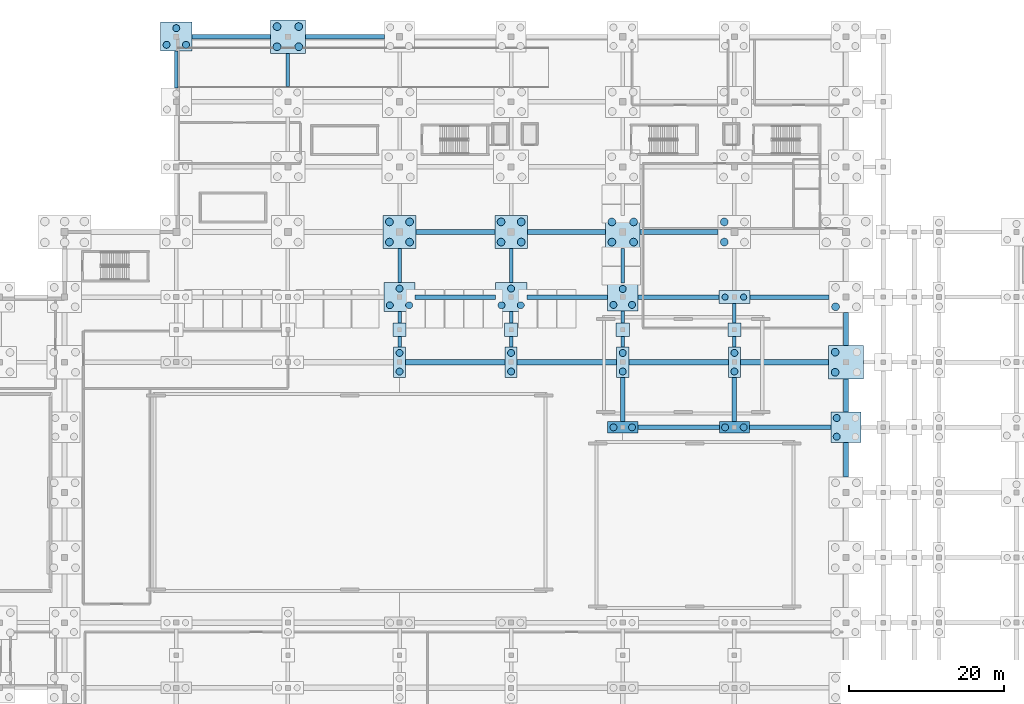
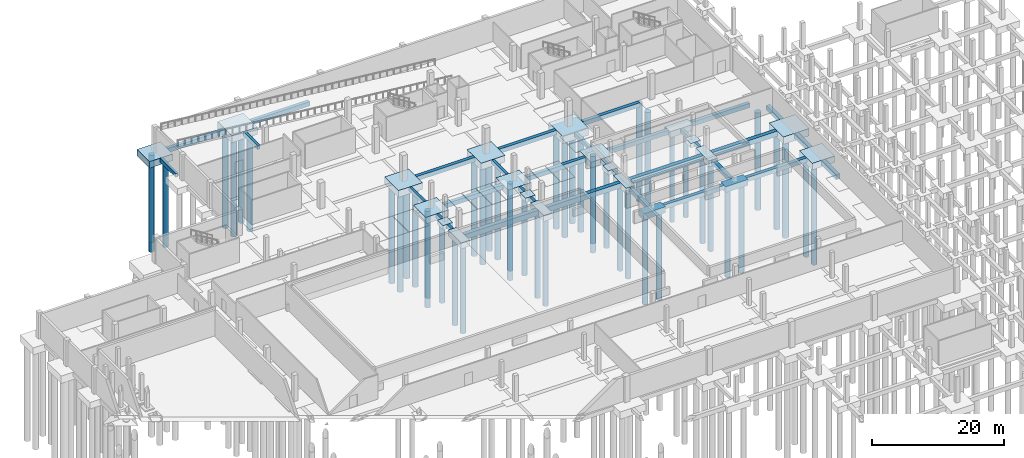
# One storey, part 5 of 26: 54 footings, 49 piles.
"""IFC4 building model written with IfcOpenShell, lengths in metres."""

from ifc_helpers import new_model, si_unit, direction, frame, origin, origin_2d, place, context, subcontext, project, spatial, rectangle, circle, extrude, material, material_profile, profile_set, type_object, element, save


model = new_model("IFC4")

# Units and contexts
model_context = context("Model", 3, precision=1e-05, world=origin(), true_north=direction((0.0, 1.0)))
body_context = subcontext(model_context, "Body", "Model", "MODEL_VIEW")
ifc_project = project(units=[si_unit("LENGTHUNIT", "METRE"), si_unit("AREAUNIT", "SQUARE_METRE"), si_unit("VOLUMEUNIT", "CUBIC_METRE"), si_unit("PLANEANGLEUNIT", "RADIAN"), si_unit("MASSUNIT", "GRAM", prefix="KILO"), si_unit("THERMODYNAMICTEMPERATUREUNIT", "KELVIN")], contexts=[model_context])

# Site, building, storey
site_placement = place(None, origin())
site = spatial("IfcSite", under=ifc_project, at=site_placement, CompositionType="ELEMENT")
building_placement = place(site_placement, origin())
building = spatial("IfcBuilding", under=site, at=building_placement, Name="Nduvali Passage Aquatics Centre", CompositionType="ELEMENT")
storey_placement = place(building_placement, frame((0.0, 0.0, -4.800048828125)))
storey = spatial("IfcBuildingStorey", under=building, at=storey_placement, Name="B01", CompositionType="ELEMENT", Elevation=-4.800048828125)

# Footings
ifc_material = material(Name="Concrete C40/50", Category="concrete")
footing_type_1 = type_object("IfcFootingType", Name="STR-GB-1", PredefinedType="FOOTING_BEAM", material=ifc_material)
for number, where, z_axis, x_axis, name in (
    (1, (104.39990234375, 67.199951171875, -0.7998046875), (0.0, 0.0, 1.0), (1.0, 0.0, 0.0), "Ground Beam X-0074"),
    (2, (118.800048828125, 67.199951171875, -0.7998046875), (0.0, 0.0, 1.0), (1.0, 0.0, 0.0), "Ground Beam X-0075"),
):
    element("IfcFooting", number, at=place(storey_placement, frame(where, z_axis=z_axis, x_axis=x_axis)), inside=storey, type_object=footing_type_1, Name=name, PredefinedType="FOOTING_BEAM", context=body_context, shape_type="SweptSolid", body=[
        extrude(rectangle(XDim=10.5, YDim=0.60009765625, at=origin_2d()), origin(), (0.0, 0.0, 1.0), 0.800048828125),
    ])
footing_1_placement = place(storey_placement, frame((75.60009765625, 84.0, -0.7998046875), z_axis=(0.0, 0.0, 1.0), x_axis=(1.0, 0.0, 0.0)))
element("IfcFooting", 3, at=footing_1_placement, inside=storey, type_object=footing_type_1, Name="Ground Beam X-0104", PredefinedType="FOOTING_BEAM", context=body_context, shape_type="SweptSolid", body=[
    extrude(rectangle(XDim=10.35009765625, YDim=0.60009765625, at=origin_2d()), origin(), (0.0, 0.0, 1.0), 0.800048828125),
])
footing_2_placement = place(storey_placement, frame((90.03759765625, 84.0, -0.7998046875), z_axis=(0.0, 0.0, 1.0), x_axis=(1.0, 0.0, 0.0)))
element("IfcFooting", 4, at=footing_2_placement, inside=storey, type_object=footing_type_1, Name="Ground Beam X-0105", PredefinedType="FOOTING_BEAM", context=body_context, shape_type="SweptSolid", body=[
    extrude(rectangle(XDim=10.425048828125, YDim=0.60009765625, at=origin_2d()), origin(), (0.0, 0.0, 1.0), 0.800048828125),
])
footing_3_placement = place(storey_placement, frame((104.375, 84.0, -0.7998046875), z_axis=(0.0, 0.0, 1.0), x_axis=(1.0, 0.0, 0.0)))
element("IfcFooting", 5, at=footing_3_placement, inside=storey, type_object=footing_type_1, Name="Ground Beam X-0106", PredefinedType="FOOTING_BEAM", context=body_context, shape_type="SweptSolid", body=[
    extrude(rectangle(XDim=10.449951171875, YDim=0.60009765625, at=origin_2d()), origin(), (0.0, 0.0, 1.0), 0.800048828125),
])
for number, where, z_axis, x_axis, name in (
    (6, (118.699951171875, 84.0, -0.7998046875), (0.0, 0.0, 1.0), (1.0, 0.0, 0.0), "Ground Beam X-0107"),
    (7, (75.60009765625, 92.39990234375, -0.7998046875), (0.0, 0.0, 1.0), (1.0, 0.0, 0.0), "Ground Beam X-0117"),
):
    element("IfcFooting", number, at=place(storey_placement, frame(where, z_axis=z_axis, x_axis=x_axis)), inside=storey, type_object=footing_type_1, Name=name, PredefinedType="FOOTING_BEAM", context=body_context, shape_type="SweptSolid", body=[
        extrude(rectangle(XDim=10.199951171875, YDim=0.60009765625, at=origin_2d()), origin(), (0.0, 0.0, 1.0), 0.800048828125),
    ])
for number, where, z_axis, x_axis, name in (
    (8, (89.925048828125, 92.39990234375, -0.7998046875), (0.0, 0.0, 1.0), (1.0, 0.0, 0.0), "Ground Beam X-0118"),
    (9, (104.47509765625, 92.39990234375, -0.7998046875), (0.0, 0.0, 1.0), (1.0, 0.0, 0.0), "Ground Beam X-0119"),
):
    element("IfcFooting", number, at=place(storey_placement, frame(where, z_axis=z_axis, x_axis=x_axis)), inside=storey, type_object=footing_type_1, Name=name, PredefinedType="FOOTING_BEAM", context=body_context, shape_type="SweptSolid", body=[
        extrude(rectangle(XDim=10.050048828125, YDim=0.60009765625, at=origin_2d()), origin(), (0.0, 0.0, 1.0), 0.800048828125),
    ])
footing_4_placement = place(storey_placement, frame((46.6875, 117.60009765625, -0.7998046875), z_axis=(0.0, 0.0, 1.0), x_axis=(1.0, 0.0, 0.0)))
element("IfcFooting", 10, at=footing_4_placement, inside=storey, type_object=footing_type_1, Name="Ground Beam X-0140", PredefinedType="FOOTING_BEAM", context=body_context, shape_type="SweptSolid", body=[
    extrude(rectangle(XDim=10.125, YDim=0.60009765625, at=origin_2d()), origin(), (0.0, 0.0, 1.0), 0.800048828125),
])
footing_5_placement = place(storey_placement, frame((61.35009765625, 117.60009765625, -0.7998046875), z_axis=(0.0, 0.0, 1.0), x_axis=(1.0, 0.0, 0.0)))
element("IfcFooting", 11, at=footing_5_placement, inside=storey, type_object=footing_type_1, Name="Ground Beam X-0141", PredefinedType="FOOTING_BEAM", context=body_context, shape_type="SweptSolid", body=[
    extrude(rectangle(XDim=10.199951171875, YDim=0.60009765625, at=origin_2d()), origin(), (0.0, 0.0, 1.0), 0.800048828125),
])
for number, where, z_axis, x_axis, name in (
    (12, (97.199951171875, 70.78759765625, -0.7998046875), (0.0, 0.0, 1.0), (0.0, 1.0, 0.0), "Ground Beam Y-0217"),
    (13, (111.60009765625, 70.78759765625, -0.7998046875), (0.0, 0.0, 1.0), (0.0, 1.0, 0.0), "Ground Beam Y-0230"),
):
    element("IfcFooting", number, at=place(storey_placement, frame(where, z_axis=z_axis, x_axis=x_axis)), inside=storey, type_object=footing_type_1, Name=name, PredefinedType="FOOTING_BEAM", context=body_context, shape_type="SweptSolid", body=[
        extrude(rectangle(XDim=5.675048828125, YDim=0.60009765625, at=origin_2d()), origin(), (0.0, 0.0, 1.0), 0.800048828125),
    ])
footing_type_2 = type_object("IfcFootingType", Name="STR-GB-3", PredefinedType="FOOTING_BEAM", material=ifc_material)
footing_6_placement = place(storey_placement, frame((126.0, 63.02490234375, -0.89990234375), z_axis=(0.0, 0.0, 1.0), x_axis=(0.0, 1.0, 0.0)))
element("IfcFooting", 14, at=footing_6_placement, inside=storey, type_object=footing_type_2, Name="Ground Beam Y-0244", PredefinedType="FOOTING_BEAM", context=body_context, shape_type="SweptSolid", body=[
    extrude(rectangle(XDim=4.449951171875, YDim=0.64990234375, at=origin_2d()), origin(), (0.0, 0.0, 1.0), 0.89990234375),
])
footing_7_placement = place(storey_placement, frame((126.0, 71.300048828125, -0.89990234375), z_axis=(0.0, 0.0, 1.0), x_axis=(0.0, 1.0, 0.0)))
element("IfcFooting", 15, at=footing_7_placement, inside=storey, type_object=footing_type_2, Name="Ground Beam Y-0245", PredefinedType="FOOTING_BEAM", context=body_context, shape_type="SweptSolid", body=[
    extrude(rectangle(XDim=4.300048828125, YDim=0.64990234375, at=origin_2d()), origin(), (0.0, 0.0, 1.0), 0.89990234375),
])
footing_8_placement = place(storey_placement, frame((126.0, 79.875, -0.89990234375), z_axis=(0.0, 0.0, 1.0), x_axis=(0.0, 1.0, 0.0)))
element("IfcFooting", 16, at=footing_8_placement, inside=storey, type_object=footing_type_2, Name="Ground Beam Y-0246", PredefinedType="FOOTING_BEAM", context=body_context, shape_type="SweptSolid", body=[
    extrude(rectangle(XDim=4.25, YDim=0.64990234375, at=origin_2d()), origin(), (0.0, 0.0, 1.0), 0.89990234375),
])
footing_type_3 = type_object("IfcFootingType", Name="STR-GB-5", PredefinedType="FOOTING_BEAM", material=ifc_material)
for number, where, z_axis, x_axis, name in (
    (17, (75.60009765625, 75.60009765625, -0.94970703125), (0.0, 0.0, 1.0), (1.0, 0.0, 0.0), "Ground Beam X-0088"),
    (18, (90.0, 75.60009765625, -0.94970703125), (0.0, 0.0, 1.0), (1.0, 0.0, 0.0), "Ground Beam X-0089"),
    (19, (104.39990234375, 75.60009765625, -0.94970703125), (0.0, 0.0, 1.0), (1.0, 0.0, 0.0), "Ground Beam X-0090"),
):
    element("IfcFooting", number, at=place(storey_placement, frame(where, z_axis=z_axis, x_axis=x_axis)), inside=storey, type_object=footing_type_3, Name=name, PredefinedType="FOOTING_BEAM", context=body_context, shape_type="SweptSolid", body=[
        extrude(rectangle(XDim=12.85009765625, YDim=0.699951171875, at=origin_2d()), origin(), (0.0, 0.0, 1.0), 0.949951171875),
    ])
footing_9_placement = place(storey_placement, frame((118.0625, 75.60009765625, -0.94970703125), z_axis=(0.0, 0.0, 1.0), x_axis=(1.0, 0.0, 0.0)))
element("IfcFooting", 20, at=footing_9_placement, inside=storey, type_object=footing_type_3, Name="Ground Beam X-0091", PredefinedType="FOOTING_BEAM", context=body_context, shape_type="SweptSolid", body=[
    extrude(rectangle(XDim=11.375, YDim=0.699951171875, at=origin_2d()), origin(), (0.0, 0.0, 1.0), 0.949951171875),
])
footing_type_4 = type_object("IfcFootingType", Name="STR-GB-6", PredefinedType="FOOTING_BEAM", material=ifc_material)
footing_10_placement = place(storey_placement, frame((39.60009765625, 113.362548828125, -0.69970703125), z_axis=(0.0, 0.0, 1.0), x_axis=(0.0, 1.0, 0.0)))
element("IfcFooting", 21, at=footing_10_placement, inside=storey, type_object=footing_type_4, Name="Ground Beam Y-0176", PredefinedType="FOOTING_BEAM", context=body_context, shape_type="SweptSolid", body=[
    extrude(rectangle(XDim=4.72509765625, YDim=0.449951171875, at=origin_2d()), origin(), (0.0, 0.0, 1.0), 0.699951171875),
])
footing_11_placement = place(storey_placement, frame((54.0, 113.300048828125, -0.69970703125), z_axis=(0.0, 0.0, 1.0), x_axis=(0.0, 1.0, 0.0)))
element("IfcFooting", 22, at=footing_11_placement, inside=storey, type_object=footing_type_4, Name="Ground Beam Y-0188", PredefinedType="FOOTING_BEAM", context=body_context, shape_type="SweptSolid", body=[
    extrude(rectangle(XDim=4.300048828125, YDim=0.449951171875, at=origin_2d()), origin(), (0.0, 0.0, 1.0), 0.699951171875),
])
footing_12_placement = place(storey_placement, frame((68.39990234375, 78.262451171875, -0.69970703125), z_axis=(0.0, 0.0, 1.0), x_axis=(0.0, 1.0, 0.0)))
element("IfcFooting", 23, at=footing_12_placement, inside=storey, type_object=footing_type_4, Name="Ground Beam Y-0195", PredefinedType="FOOTING_BEAM", context=body_context, shape_type="SweptSolid", body=[
    extrude(rectangle(XDim=1.375, YDim=0.449951171875, at=origin_2d()), origin(), (0.0, 0.0, 1.0), 0.699951171875),
])
footing_13_placement = place(storey_placement, frame((68.39990234375, 81.387451171875, -0.69970703125), z_axis=(0.0, 0.0, 1.0), x_axis=(0.0, 1.0, 0.0)))
element("IfcFooting", 24, at=footing_13_placement, inside=storey, type_object=footing_type_4, Name="Ground Beam Y-0196", PredefinedType="FOOTING_BEAM", context=body_context, shape_type="SweptSolid", body=[
    extrude(rectangle(XDim=1.47509765625, YDim=0.449951171875, at=origin_2d()), origin(), (0.0, 0.0, 1.0), 0.699951171875),
])
footing_14_placement = place(storey_placement, frame((68.39990234375, 88.08740234375, -0.69970703125), z_axis=(0.0, 0.0, 1.0), x_axis=(0.0, 1.0, 0.0)))
element("IfcFooting", 25, at=footing_14_placement, inside=storey, type_object=footing_type_4, Name="Ground Beam Y-0197", PredefinedType="FOOTING_BEAM", context=body_context, shape_type="SweptSolid", body=[
    extrude(rectangle(XDim=4.425048828125, YDim=0.449951171875, at=origin_2d()), origin(), (0.0, 0.0, 1.0), 0.699951171875),
])
footing_15_placement = place(storey_placement, frame((82.800048828125, 78.262451171875, -0.69970703125), z_axis=(0.0, 0.0, 1.0), x_axis=(0.0, 1.0, 0.0)))
element("IfcFooting", 26, at=footing_15_placement, inside=storey, type_object=footing_type_4, Name="Ground Beam Y-0205", PredefinedType="FOOTING_BEAM", context=body_context, shape_type="SweptSolid", body=[
    extrude(rectangle(XDim=1.375, YDim=0.449951171875, at=origin_2d()), origin(), (0.0, 0.0, 1.0), 0.699951171875),
])
footing_16_placement = place(storey_placement, frame((82.800048828125, 81.387451171875, -0.69970703125), z_axis=(0.0, 0.0, 1.0), x_axis=(0.0, 1.0, 0.0)))
element("IfcFooting", 27, at=footing_16_placement, inside=storey, type_object=footing_type_4, Name="Ground Beam Y-0206", PredefinedType="FOOTING_BEAM", context=body_context, shape_type="SweptSolid", body=[
    extrude(rectangle(XDim=1.47509765625, YDim=0.449951171875, at=origin_2d()), origin(), (0.0, 0.0, 1.0), 0.699951171875),
])
footing_17_placement = place(storey_placement, frame((82.800048828125, 88.08740234375, -0.69970703125), z_axis=(0.0, 0.0, 1.0), x_axis=(0.0, 1.0, 0.0)))
element("IfcFooting", 28, at=footing_17_placement, inside=storey, type_object=footing_type_4, Name="Ground Beam Y-0207", PredefinedType="FOOTING_BEAM", context=body_context, shape_type="SweptSolid", body=[
    extrude(rectangle(XDim=4.425048828125, YDim=0.449951171875, at=origin_2d()), origin(), (0.0, 0.0, 1.0), 0.699951171875),
])
footing_18_placement = place(storey_placement, frame((97.199951171875, 78.262451171875, -0.69970703125), z_axis=(0.0, 0.0, 1.0), x_axis=(0.0, 1.0, 0.0)))
element("IfcFooting", 29, at=footing_18_placement, inside=storey, type_object=footing_type_4, Name="Ground Beam Y-0218", PredefinedType="FOOTING_BEAM", context=body_context, shape_type="SweptSolid", body=[
    extrude(rectangle(XDim=1.375, YDim=0.449951171875, at=origin_2d()), origin(), (0.0, 0.0, 1.0), 0.699951171875),
])
footing_19_placement = place(storey_placement, frame((97.199951171875, 81.425048828125, -0.69970703125), z_axis=(0.0, 0.0, 1.0), x_axis=(0.0, 1.0, 0.0)))
element("IfcFooting", 30, at=footing_19_placement, inside=storey, type_object=footing_type_4, Name="Ground Beam Y-0219", PredefinedType="FOOTING_BEAM", context=body_context, shape_type="SweptSolid", body=[
    extrude(rectangle(XDim=1.550048828125, YDim=0.449951171875, at=origin_2d()), origin(), (0.0, 0.0, 1.0), 0.699951171875),
])
footing_20_placement = place(storey_placement, frame((97.199951171875, 88.02490234375, -0.69970703125), z_axis=(0.0, 0.0, 1.0), x_axis=(0.0, 1.0, 0.0)))
element("IfcFooting", 31, at=footing_20_placement, inside=storey, type_object=footing_type_4, Name="Ground Beam Y-0220", PredefinedType="FOOTING_BEAM", context=body_context, shape_type="SweptSolid", body=[
    extrude(rectangle(XDim=4.449951171875, YDim=0.449951171875, at=origin_2d()), origin(), (0.0, 0.0, 1.0), 0.699951171875),
])
footing_21_placement = place(storey_placement, frame((111.60009765625, 78.262451171875, -0.69970703125), z_axis=(0.0, 0.0, 1.0), x_axis=(0.0, 1.0, 0.0)))
element("IfcFooting", 32, at=footing_21_placement, inside=storey, type_object=footing_type_4, Name="Ground Beam Y-0231", PredefinedType="FOOTING_BEAM", context=body_context, shape_type="SweptSolid", body=[
    extrude(rectangle(XDim=1.375, YDim=0.449951171875, at=origin_2d()), origin(), (0.0, 0.0, 1.0), 0.699951171875),
])
footing_22_placement = place(storey_placement, frame((111.60009765625, 81.91259765625, -0.69970703125), z_axis=(0.0, 0.0, 1.0), x_axis=(0.0, 1.0, 0.0)))
element("IfcFooting", 33, at=footing_22_placement, inside=storey, type_object=footing_type_4, Name="Ground Beam Y-0232", PredefinedType="FOOTING_BEAM", context=body_context, shape_type="SweptSolid", body=[
    extrude(rectangle(XDim=2.52490234375, YDim=0.449951171875, at=origin_2d()), origin(), (0.0, 0.0, 1.0), 0.699951171875),
])
footing_type_5 = type_object("IfcFootingType", Name="STR-PC-2A", PredefinedType="PILE_CAP", material=ifc_material)
for number, where, z_axis, x_axis, name in (
    (34, (97.199951171875, 67.199951171875, -1.10009765625), (0.0, 0.0, 1.0), (1.0, 0.0, 0.0), "Pile Cap PC2A at (97.2, 67.2)"),
    (35, (111.60009765625, 67.199951171875, -1.10009765625), (0.0, 0.0, 1.0), (1.0, 0.0, 0.0), "Pile Cap PC2A at (111.6, 67.2)"),
):
    element("IfcFooting", number, at=place(storey_placement, frame(where, z_axis=z_axis, x_axis=x_axis)), inside=storey, type_object=footing_type_5, Name=name, PredefinedType="PILE_CAP", context=body_context, shape_type="SweptSolid", body=[
        extrude(rectangle(XDim=3.89990234375, YDim=1.5, at=origin_2d()), origin(), (0.0, 0.0, 1.0), 1.10009765625),
    ])
footing_type_6 = type_object("IfcFootingType", Name="STR-PC-2B", PredefinedType="PILE_CAP", material=ifc_material)
for number, where, z_axis, x_axis, name in (
    (36, (68.39990234375, 75.60009765625, -1.10009765625), (0.0, 0.0, 1.0), (1.0, 0.0, 0.0), "Pile Cap PC2B at (68.4, 75.6)"),
    (37, (82.800048828125, 75.60009765625, -1.10009765625), (0.0, 0.0, 1.0), (1.0, 0.0, 0.0), "Pile Cap PC2B at (82.8, 75.6)"),
    (38, (97.199951171875, 75.60009765625, -1.10009765625), (0.0, 0.0, 1.0), (1.0, 0.0, 0.0), "Pile Cap PC2B at (97.2, 75.6)"),
    (39, (111.60009765625, 75.60009765625, -1.10009765625), (0.0, 0.0, 1.0), (1.0, 0.0, 0.0), "Pile Cap PC2B at (111.6, 75.6)"),
):
    element("IfcFooting", number, at=place(storey_placement, frame(where, z_axis=z_axis, x_axis=x_axis)), inside=storey, type_object=footing_type_6, Name=name, PredefinedType="PILE_CAP", context=body_context, shape_type="SweptSolid", body=[
        extrude(rectangle(XDim=1.550048828125, YDim=3.949951171875, at=origin_2d()), origin(), (0.0, 0.0, 1.0), 1.10009765625),
    ])
footing_type_7 = type_object("IfcFootingType", Name="STR-PC-2D", PredefinedType="PILE_CAP", material=ifc_material)
footing_23_placement = place(storey_placement, frame((111.60009765625, 84.0, -1.1201171875), z_axis=(0.0, 0.0, 1.0), x_axis=(1.0, 0.0, 0.0)))
element("IfcFooting", 40, at=footing_23_placement, inside=storey, type_object=footing_type_7, Name="Pile Cap PC2D at (111.6, 84.0)", PredefinedType="PILE_CAP", context=body_context, shape_type="SweptSolid", body=[
    extrude(rectangle(XDim=4.0, YDim=1.64990234375, at=origin_2d()), origin(), (0.0, 0.0, 1.0), 1.1201171875),
])
footing_type_8 = type_object("IfcFootingType", Name="STR-PC-3A", PredefinedType="PILE_CAP", material=ifc_material)
footing_24_placement = place(storey_placement, frame((97.199951171875, 84.0, -1.14990234375), z_axis=(0.0, 0.0, 1.0), x_axis=(1.0, 0.0, 0.0)))
element("IfcFooting", 41, at=footing_24_placement, inside=storey, type_object=footing_type_8, Name="Pile Cap PC3A at (97.2, 84.0)", PredefinedType="PILE_CAP", context=body_context, shape_type="SweptSolid", body=[
    extrude(rectangle(XDim=3.89990234375, YDim=3.60009765625, at=origin_2d()), origin(), (0.0, 0.0, 1.0), 1.14990234375),
])
footing_type_9 = type_object("IfcFootingType", Name="STR-PC-3B", PredefinedType="PILE_CAP", material=ifc_material)
for number, where, z_axis, x_axis, name in (
    (42, (39.60009765625, 117.60009765625, -1.19970703125), (0.0, 0.0, 1.0), (1.0, 0.0, 0.0), "Pile Cap PC3B at (39.6, 117.6)"),
    (43, (68.39990234375, 84.0, -1.19970703125), (0.0, 0.0, 1.0), (1.0, 0.0, 0.0), "Pile Cap PC3B at (68.4, 84.0)"),
    (44, (82.800048828125, 84.0, -1.19970703125), (0.0, 0.0, 1.0), (1.0, 0.0, 0.0), "Pile Cap PC3B at (82.8, 84.0)"),
):
    element("IfcFooting", number, at=place(storey_placement, frame(where, z_axis=z_axis, x_axis=x_axis)), inside=storey, type_object=footing_type_9, Name=name, PredefinedType="PILE_CAP", context=body_context, shape_type="SweptSolid", body=[
        extrude(rectangle(XDim=4.050048828125, YDim=3.75, at=origin_2d()), origin(), (0.0, 0.0, 1.0), 1.199951171875),
    ])
footing_type_10 = type_object("IfcFootingType", Name="STR-PC-4A", PredefinedType="PILE_CAP", material=ifc_material)
footing_25_placement = place(storey_placement, frame((126.0, 67.199951171875, -1.19970703125), z_axis=(0.0, 0.0, 1.0), x_axis=(1.0, 0.0, 0.0)))
element("IfcFooting", 45, at=footing_25_placement, inside=storey, type_object=footing_type_10, Name="Pile Cap PC4A at (126.0, 67.2)", PredefinedType="PILE_CAP", context=body_context, shape_type="SweptSolid", body=[
    extrude(rectangle(XDim=3.89990234375, YDim=3.89990234375, at=origin_2d()), origin(), (0.0, 0.0, 1.0), 1.199951171875),
])
footing_type_11 = type_object("IfcFootingType", Name="STR-PC-4B", PredefinedType="PILE_CAP", material=ifc_material)
for number, where, z_axis, x_axis, name in (
    (46, (68.39990234375, 92.39990234375, -1.25), (0.0, 0.0, 1.0), (1.0, 0.0, 0.0), "Pile Cap PC4B at (68.4, 92.4)"),
    (47, (82.800048828125, 92.39990234375, -1.25), (0.0, 0.0, 1.0), (1.0, 0.0, 0.0), "Pile Cap PC4B at (82.8, 92.4)"),
):
    element("IfcFooting", number, at=place(storey_placement, frame(where, z_axis=z_axis, x_axis=x_axis)), inside=storey, type_object=footing_type_11, Name=name, PredefinedType="PILE_CAP", context=body_context, shape_type="SweptSolid", body=[
        extrude(rectangle(XDim=4.199951171875, YDim=4.199951171875, at=origin_2d()), origin(), (0.0, 0.0, 1.0), 1.25),
    ])
footing_type_12 = type_object("IfcFootingType", Name="STR-PC-4D", PredefinedType="PILE_CAP", material=ifc_material)
for number, where, z_axis, x_axis, name in (
    (48, (54.0, 117.60009765625, -1.35009765625), (0.0, 0.0, 1.0), (1.0, 0.0, 0.0), "Pile Cap PC4D at (54.0, 117.6)"),
    (49, (97.199951171875, 92.39990234375, -1.35009765625), (0.0, 0.0, 1.0), (1.0, 0.0, 0.0), "Pile Cap PC4D at (97.2, 92.4)"),
    (50, (126.0, 75.60009765625, -1.35009765625), (0.0, 0.0, 1.0), (1.0, 0.0, 0.0), "Pile Cap PC4D at (126.0, 75.6)"),
):
    element("IfcFooting", number, at=place(storey_placement, frame(where, z_axis=z_axis, x_axis=x_axis)), inside=storey, type_object=footing_type_12, Name=name, PredefinedType="PILE_CAP", context=body_context, shape_type="SweptSolid", body=[
        extrude(rectangle(XDim=4.5, YDim=4.300048828125, at=origin_2d()), origin(), (0.0, 0.0, 1.0), 1.35009765625),
    ])
footing_type_13 = type_object("IfcFootingType", Name="STR-PF-8", PredefinedType="PAD_FOOTING", material=ifc_material)
for number, where, z_axis, x_axis, name in (
    (51, (68.39990234375, 79.800048828125, -0.7998046875), (0.0, 0.0, 1.0), (1.0, 0.0, 0.0), "Pad Footing PF8 at (68.4, 79.8)"),
    (52, (82.800048828125, 79.800048828125, -0.7998046875), (0.0, 0.0, 1.0), (1.0, 0.0, 0.0), "Pad Footing PF8 at (82.8, 79.8)"),
    (53, (97.199951171875, 79.800048828125, -0.7998046875), (0.0, 0.0, 1.0), (1.0, 0.0, 0.0), "Pad Footing PF8 at (97.2, 79.8)"),
    (54, (111.60009765625, 79.800048828125, -0.7998046875), (0.0, 0.0, 1.0), (1.0, 0.0, 0.0), "Pad Footing PF8 at (111.6, 79.8)"),
):
    element("IfcFooting", number, at=place(storey_placement, frame(where, z_axis=z_axis, x_axis=x_axis)), inside=storey, type_object=footing_type_13, Name=name, PredefinedType="PAD_FOOTING", context=body_context, shape_type="SweptSolid", body=[
        extrude(rectangle(XDim=1.699951171875, YDim=1.699951171875, at=origin_2d()), origin(), (0.0, 0.0, 1.0), 0.800048828125),
    ])

# Piles
ifc_material_profile_1 = material_profile(ifc_material, circle(Radius=0.5, at=origin_2d()), Name="PILE D1000")
ifc_profile_set_1 = profile_set([ifc_material_profile_1], Name="Concrete C40/50")
pile_type_1 = type_object("IfcPileType", Name="STR-PILE-D1000", PredefinedType="BORED", material=ifc_profile_set_1)
for number, where, z_axis, x_axis, name in (
    (55, (52.60009765625, 116.300048828125, -1.25), (0.0, 0.0, -1.0), (1.0, 0.0, 0.0), "Bored Pile 071-1"),
    (56, (55.39990234375, 116.300048828125, -1.25), (0.0, 0.0, -1.0), (1.0, 0.0, 0.0), "Bored Pile 071-2"),
    (57, (52.60009765625, 118.89990234375, -1.25), (0.0, 0.0, -1.0), (1.0, 0.0, 0.0), "Bored Pile 071-3"),
    (58, (55.39990234375, 118.89990234375, -1.25), (0.0, 0.0, -1.0), (1.0, 0.0, 0.0), "Bored Pile 071-4"),
):
    element("IfcPile", number, at=place(storey_placement, frame(where, z_axis=z_axis, x_axis=x_axis)), inside=storey, type_object=pile_type_1, Name=name, PredefinedType="BORED", context=body_context, shape_type="SweptSolid", body=[
        extrude(circle(Radius=0.5, at=origin_2d()), origin(), (0.0, 0.0, 1.0), 17.949951171875),
    ])
for number, where, z_axis, x_axis, name in (
    (59, (67.10009765625, 91.10009765625, -1.14990234375), (0.0, 0.0, -1.0), (1.0, 0.0, 0.0), "Bored Pile 082-1"),
    (60, (69.699951171875, 91.10009765625, -1.14990234375), (0.0, 0.0, -1.0), (1.0, 0.0, 0.0), "Bored Pile 082-2"),
    (61, (67.10009765625, 93.699951171875, -1.14990234375), (0.0, 0.0, -1.0), (1.0, 0.0, 0.0), "Bored Pile 082-3"),
    (62, (69.699951171875, 93.699951171875, -1.14990234375), (0.0, 0.0, -1.0), (1.0, 0.0, 0.0), "Bored Pile 082-4"),
    (63, (81.5, 91.10009765625, -1.14990234375), (0.0, 0.0, -1.0), (1.0, 0.0, 0.0), "Bored Pile 094-1"),
    (64, (84.10009765625, 91.10009765625, -1.14990234375), (0.0, 0.0, -1.0), (1.0, 0.0, 0.0), "Bored Pile 094-2"),
    (65, (81.5, 93.699951171875, -1.14990234375), (0.0, 0.0, -1.0), (1.0, 0.0, 0.0), "Bored Pile 094-3"),
    (66, (84.10009765625, 93.699951171875, -1.14990234375), (0.0, 0.0, -1.0), (1.0, 0.0, 0.0), "Bored Pile 094-4"),
):
    element("IfcPile", number, at=place(storey_placement, frame(where, z_axis=z_axis, x_axis=x_axis)), inside=storey, type_object=pile_type_1, Name=name, PredefinedType="BORED", context=body_context, shape_type="SweptSolid", body=[
        extrude(circle(Radius=0.5, at=origin_2d()), origin(), (0.0, 0.0, 1.0), 18.050048828125),
    ])
for number, where, z_axis, x_axis, name in (
    (67, (95.800048828125, 91.10009765625, -1.25), (0.0, 0.0, -1.0), (1.0, 0.0, 0.0), "Bored Pile 109-1"),
    (68, (98.60009765625, 91.10009765625, -1.25), (0.0, 0.0, -1.0), (1.0, 0.0, 0.0), "Bored Pile 109-2"),
    (69, (95.800048828125, 93.699951171875, -1.25), (0.0, 0.0, -1.0), (1.0, 0.0, 0.0), "Bored Pile 109-3"),
    (70, (98.60009765625, 93.699951171875, -1.25), (0.0, 0.0, -1.0), (1.0, 0.0, 0.0), "Bored Pile 109-4"),
):
    element("IfcPile", number, at=place(storey_placement, frame(where, z_axis=z_axis, x_axis=x_axis)), inside=storey, type_object=pile_type_1, Name=name, PredefinedType="BORED", context=body_context, shape_type="SweptSolid", body=[
        extrude(circle(Radius=0.5, at=origin_2d()), origin(), (0.0, 0.0, 1.0), 17.949951171875),
    ])
for number, where, z_axis, x_axis, name in (
    (71, (110.300048828125, 91.10009765625, -1.14990234375), (0.0, 0.0, -1.0), (1.0, 0.0, 0.0), "Bored Pile 124-1"),
    (72, (110.300048828125, 93.699951171875, -1.14990234375), (0.0, 0.0, -1.0), (1.0, 0.0, 0.0), "Bored Pile 124-3"),
):
    element("IfcPile", number, at=place(storey_placement, frame(where, z_axis=z_axis, x_axis=x_axis)), inside=storey, type_object=pile_type_1, Name=name, PredefinedType="BORED", context=body_context, shape_type="SweptSolid", body=[
        extrude(circle(Radius=0.5, at=origin_2d()), origin(), (0.0, 0.0, 1.0), 18.050048828125),
    ])
for number, where, z_axis, x_axis, name in (
    (73, (124.60009765625, 74.300048828125, -1.25), (0.0, 0.0, -1.0), (1.0, 0.0, 0.0), "Bored Pile 137-1"),
    (74, (124.60009765625, 76.89990234375, -1.25), (0.0, 0.0, -1.0), (1.0, 0.0, 0.0), "Bored Pile 137-3"),
):
    element("IfcPile", number, at=place(storey_placement, frame(where, z_axis=z_axis, x_axis=x_axis)), inside=storey, type_object=pile_type_1, Name=name, PredefinedType="BORED", context=body_context, shape_type="SweptSolid", body=[
        extrude(circle(Radius=0.5, at=origin_2d()), origin(), (0.0, 0.0, 1.0), 17.949951171875),
    ])
pile_placement = place(storey_placement, frame((124.64990234375, 82.75, -1.199951171875), z_axis=(0.0, 0.0, -1.0), x_axis=(1.0, 0.0, 0.0)))
element("IfcPile", 75, at=pile_placement, inside=storey, type_object=pile_type_1, Name="Bored Pile 138-1", PredefinedType="BORED", context=body_context, shape_type="SweptSolid", body=[
    extrude(circle(Radius=0.5, at=origin_2d()), origin(), (0.0, 0.0, 1.0), 18.0),
])
ifc_material_profile_2 = material_profile(ifc_material, circle(Radius=0.39990234375, at=origin_2d()), Name="PILE D800")
ifc_profile_set_2 = profile_set([ifc_material_profile_2], Name="Concrete C40/50")
pile_type_2 = type_object("IfcPileType", Name="STR-PILE-D800", PredefinedType="BORED", material=ifc_profile_set_2)
for number, where, z_axis, x_axis, name in (
    (76, (110.39990234375, 84.0, -1.02001953125), (0.0, 0.0, -1.0), (1.0, 0.0, 0.0), "Bored Pile 123-1"),
    (77, (112.800048828125, 84.0, -1.02001953125), (0.0, 0.0, -1.0), (1.0, 0.0, 0.0), "Bored Pile 123-2"),
):
    element("IfcPile", number, at=place(storey_placement, frame(where, z_axis=z_axis, x_axis=x_axis)), inside=storey, type_object=pile_type_2, Name=name, PredefinedType="BORED", context=body_context, shape_type="SweptSolid", body=[
        extrude(circle(Radius=0.39990234375, at=origin_2d()), origin(), (0.0, 0.0, 1.0), 16.179931640625),
    ])
ifc_material_profile_3 = material_profile(ifc_material, circle(Radius=0.449951171875, at=origin_2d()), Name="PILE D900")
ifc_profile_set_3 = profile_set([ifc_material_profile_3], Name="Concrete C40/50")
pile_type_3 = type_object("IfcPileType", Name="STR-PILE-D900", PredefinedType="BORED", material=ifc_profile_set_3)
for number, where, z_axis, x_axis, name in (
    (78, (38.35009765625, 116.550048828125, -1.099853515625), (0.0, 0.0, -1.0), (1.0, 0.0, 0.0), "Bored Pile 057-1"),
    (79, (40.85009765625, 116.550048828125, -1.099853515625), (0.0, 0.0, -1.0), (1.0, 0.0, 0.0), "Bored Pile 057-2"),
    (80, (39.60009765625, 118.699951171875, -1.099853515625), (0.0, 0.0, -1.0), (1.0, 0.0, 0.0), "Bored Pile 057-3"),
):
    element("IfcPile", number, at=place(storey_placement, frame(where, z_axis=z_axis, x_axis=x_axis)), inside=storey, type_object=pile_type_3, Name=name, PredefinedType="BORED", context=body_context, shape_type="SweptSolid", body=[
        extrude(circle(Radius=0.449951171875, at=origin_2d()), origin(), (0.0, 0.0, 1.0), 16.10009765625),
    ])
for number, where, z_axis, x_axis, name in (
    (81, (68.39990234375, 74.39990234375, -1.0), (0.0, 0.0, -1.0), (1.0, 0.0, 0.0), "Bored Pile 079-1"),
    (82, (68.39990234375, 76.800048828125, -1.0), (0.0, 0.0, -1.0), (1.0, 0.0, 0.0), "Bored Pile 079-2"),
):
    element("IfcPile", number, at=place(storey_placement, frame(where, z_axis=z_axis, x_axis=x_axis)), inside=storey, type_object=pile_type_3, Name=name, PredefinedType="BORED", context=body_context, shape_type="SweptSolid", body=[
        extrude(circle(Radius=0.449951171875, at=origin_2d()), origin(), (0.0, 0.0, 1.0), 16.199951171875),
    ])
for number, where, z_axis, x_axis, name in (
    (83, (67.14990234375, 82.949951171875, -1.099853515625), (0.0, 0.0, -1.0), (1.0, 0.0, 0.0), "Bored Pile 081-1"),
    (84, (69.64990234375, 82.949951171875, -1.099853515625), (0.0, 0.0, -1.0), (1.0, 0.0, 0.0), "Bored Pile 081-2"),
    (85, (68.39990234375, 85.10009765625, -1.099853515625), (0.0, 0.0, -1.0), (1.0, 0.0, 0.0), "Bored Pile 081-3"),
):
    element("IfcPile", number, at=place(storey_placement, frame(where, z_axis=z_axis, x_axis=x_axis)), inside=storey, type_object=pile_type_3, Name=name, PredefinedType="BORED", context=body_context, shape_type="SweptSolid", body=[
        extrude(circle(Radius=0.449951171875, at=origin_2d()), origin(), (0.0, 0.0, 1.0), 16.10009765625),
    ])
for number, where, z_axis, x_axis, name in (
    (86, (82.800048828125, 74.39990234375, -1.0), (0.0, 0.0, -1.0), (1.0, 0.0, 0.0), "Bored Pile 091-1"),
    (87, (82.800048828125, 76.800048828125, -1.0), (0.0, 0.0, -1.0), (1.0, 0.0, 0.0), "Bored Pile 091-2"),
):
    element("IfcPile", number, at=place(storey_placement, frame(where, z_axis=z_axis, x_axis=x_axis)), inside=storey, type_object=pile_type_3, Name=name, PredefinedType="BORED", context=body_context, shape_type="SweptSolid", body=[
        extrude(circle(Radius=0.449951171875, at=origin_2d()), origin(), (0.0, 0.0, 1.0), 16.199951171875),
    ])
for number, where, z_axis, x_axis, name in (
    (88, (81.550048828125, 82.949951171875, -1.099853515625), (0.0, 0.0, -1.0), (1.0, 0.0, 0.0), "Bored Pile 093-1"),
    (89, (84.050048828125, 82.949951171875, -1.099853515625), (0.0, 0.0, -1.0), (1.0, 0.0, 0.0), "Bored Pile 093-2"),
    (90, (82.800048828125, 85.10009765625, -1.099853515625), (0.0, 0.0, -1.0), (1.0, 0.0, 0.0), "Bored Pile 093-3"),
):
    element("IfcPile", number, at=place(storey_placement, frame(where, z_axis=z_axis, x_axis=x_axis)), inside=storey, type_object=pile_type_3, Name=name, PredefinedType="BORED", context=body_context, shape_type="SweptSolid", body=[
        extrude(circle(Radius=0.449951171875, at=origin_2d()), origin(), (0.0, 0.0, 1.0), 16.10009765625),
    ])
for number, where, z_axis, x_axis, name in (
    (91, (96.0, 67.199951171875, -1.0), (0.0, 0.0, -1.0), (1.0, 0.0, 0.0), "Bored Pile 105-1"),
    (92, (98.39990234375, 67.199951171875, -1.0), (0.0, 0.0, -1.0), (1.0, 0.0, 0.0), "Bored Pile 105-2"),
    (93, (97.199951171875, 74.39990234375, -1.0), (0.0, 0.0, -1.0), (1.0, 0.0, 0.0), "Bored Pile 106-1"),
    (94, (97.199951171875, 76.800048828125, -1.0), (0.0, 0.0, -1.0), (1.0, 0.0, 0.0), "Bored Pile 106-2"),
):
    element("IfcPile", number, at=place(storey_placement, frame(where, z_axis=z_axis, x_axis=x_axis)), inside=storey, type_object=pile_type_3, Name=name, PredefinedType="BORED", context=body_context, shape_type="SweptSolid", body=[
        extrude(circle(Radius=0.449951171875, at=origin_2d()), origin(), (0.0, 0.0, 1.0), 16.199951171875),
    ])
for number, where, z_axis, x_axis, name in (
    (95, (96.0, 83.0, -1.050048828125), (0.0, 0.0, -1.0), (1.0, 0.0, 0.0), "Bored Pile 108-1"),
    (96, (98.39990234375, 83.0, -1.050048828125), (0.0, 0.0, -1.0), (1.0, 0.0, 0.0), "Bored Pile 108-2"),
    (97, (97.199951171875, 85.050048828125, -1.050048828125), (0.0, 0.0, -1.0), (1.0, 0.0, 0.0), "Bored Pile 108-3"),
):
    element("IfcPile", number, at=place(storey_placement, frame(where, z_axis=z_axis, x_axis=x_axis)), inside=storey, type_object=pile_type_3, Name=name, PredefinedType="BORED", context=body_context, shape_type="SweptSolid", body=[
        extrude(circle(Radius=0.449951171875, at=origin_2d()), origin(), (0.0, 0.0, 1.0), 16.14990234375),
    ])
for number, where, z_axis, x_axis, name in (
    (98, (110.39990234375, 67.199951171875, -1.0), (0.0, 0.0, -1.0), (1.0, 0.0, 0.0), "Bored Pile 120-1"),
    (99, (112.800048828125, 67.199951171875, -1.0), (0.0, 0.0, -1.0), (1.0, 0.0, 0.0), "Bored Pile 120-2"),
    (100, (111.60009765625, 74.39990234375, -1.0), (0.0, 0.0, -1.0), (1.0, 0.0, 0.0), "Bored Pile 121-1"),
    (101, (111.60009765625, 76.800048828125, -1.0), (0.0, 0.0, -1.0), (1.0, 0.0, 0.0), "Bored Pile 121-2"),
):
    element("IfcPile", number, at=place(storey_placement, frame(where, z_axis=z_axis, x_axis=x_axis)), inside=storey, type_object=pile_type_3, Name=name, PredefinedType="BORED", context=body_context, shape_type="SweptSolid", body=[
        extrude(circle(Radius=0.449951171875, at=origin_2d()), origin(), (0.0, 0.0, 1.0), 16.199951171875),
    ])
for number, where, z_axis, x_axis, name in (
    (102, (124.800048828125, 66.0, -1.099853515625), (0.0, 0.0, -1.0), (1.0, 0.0, 0.0), "Bored Pile 136-1"),
    (103, (124.800048828125, 68.39990234375, -1.099853515625), (0.0, 0.0, -1.0), (1.0, 0.0, 0.0), "Bored Pile 136-3"),
):
    element("IfcPile", number, at=place(storey_placement, frame(where, z_axis=z_axis, x_axis=x_axis)), inside=storey, type_object=pile_type_3, Name=name, PredefinedType="BORED", context=body_context, shape_type="SweptSolid", body=[
        extrude(circle(Radius=0.449951171875, at=origin_2d()), origin(), (0.0, 0.0, 1.0), 18.10009765625),
    ])

save(model, "model.ifc")
